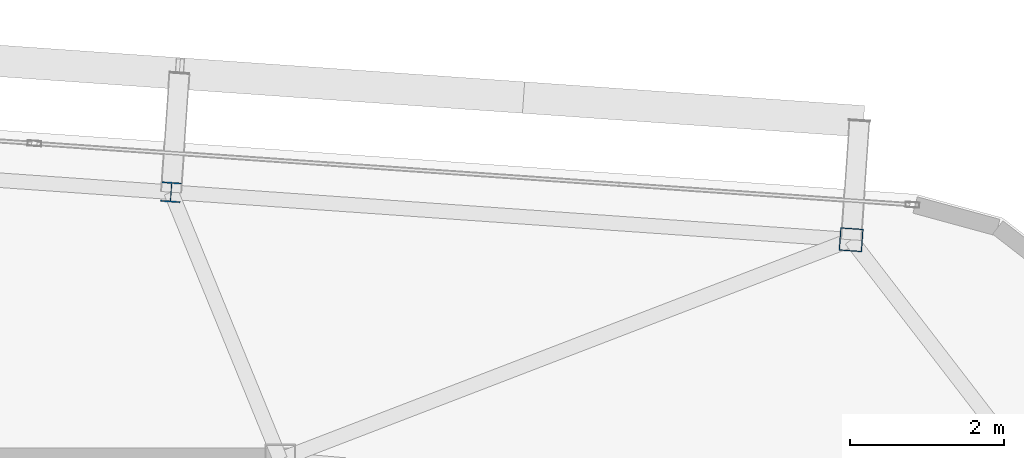
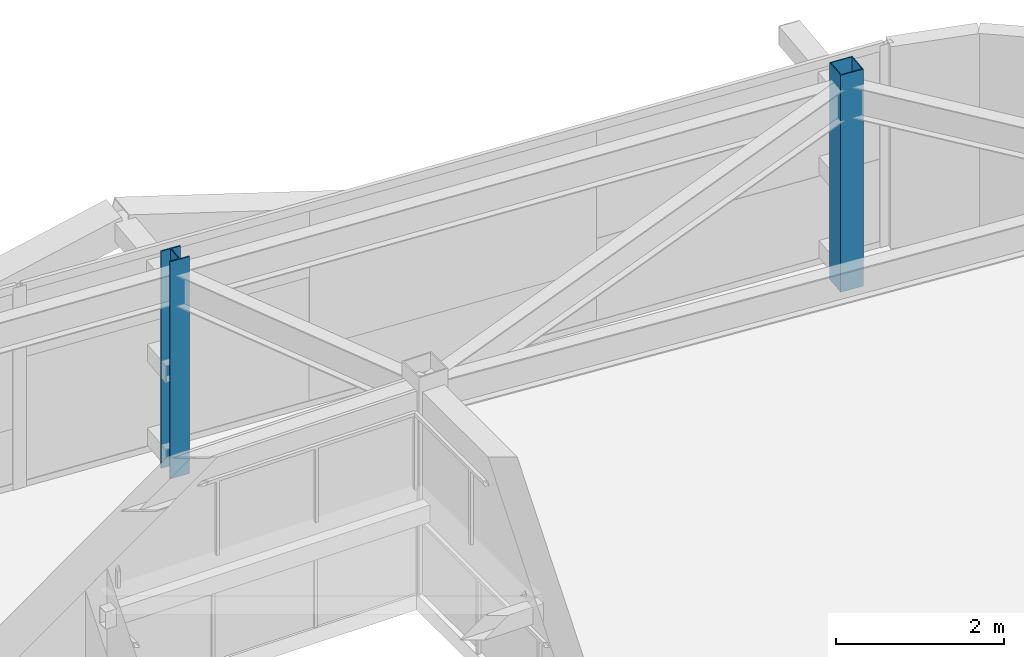
# One storey, part 5 of 39: 2 columns.
"""IFC4 building model written with IfcOpenShell, lengths in metres."""

from ifc_helpers import new_model, si_unit, direction, frame, origin, origin_2d, place, context, subcontext, project, spatial, hollow_rectangle, i_section, extrude, source, transform, mapped, material, material_profile, profile_set, type_object, element, save


model = new_model("IFC4")

# Units and contexts
model_context = context("Model", 3, precision=1e-05, world=origin(), true_north=direction((0.0, 1.0)))
body_context = subcontext(model_context, "Body", "Model", "MODEL_VIEW")
ifc_project = project(units=[si_unit("LENGTHUNIT", "METRE"), si_unit("AREAUNIT", "SQUARE_METRE"), si_unit("VOLUMEUNIT", "CUBIC_METRE"), si_unit("PLANEANGLEUNIT", "RADIAN"), si_unit("MASSUNIT", "GRAM", prefix="KILO")], contexts=[model_context])

# Site, building, storey
site_placement = place(None, origin())
site = spatial("IfcSite", under=ifc_project, at=site_placement, CompositionType="ELEMENT")
building_placement = place(site_placement, origin())
building = spatial("IfcBuilding", under=site, at=building_placement, Name="Taldren Reach Tower", CompositionType="ELEMENT")
storey_placement = place(building_placement, frame((0.0, 0.0, 148.75)))
storey = spatial("IfcBuildingStorey", under=building, at=storey_placement, Name="L45", CompositionType="ELEMENT", Elevation=148.75)

# Columns
ifc_material_1 = material(Name="Steel Gr 450 (C450L0)", Category="steel")
ifc_material_profile_1 = material_profile(ifc_material_1, hollow_rectangle(XDim=0.300048828125, YDim=0.300048828125, WallThickness=0.012451171875, at=origin_2d()), Name="300x300x12.5SHS")
ifc_profile_set_1 = profile_set([ifc_material_profile_1], Name="Steel Gr 450 (C450L0)")
column_type_1 = type_object("IfcColumnType", Name="COL-SHS300", PredefinedType="COLUMN", material=ifc_profile_set_1)
shared_shape_1 = source(origin(), body_context, "Body", "SweptSolid", [
    extrude(hollow_rectangle(XDim=0.300048828125, YDim=0.300048828125, WallThickness=0.012451171875, at=origin_2d()), origin(), (0.0, 0.0, 1.0), 3.14990234375),
])
column_1_placement = place(storey_placement, frame((58.4365234375, 34.861572265625, 0.0), z_axis=(0.0, 0.0, 1.0), x_axis=(0.99756405026, -0.069756473744, 0.0)))
element("IfcColumn", 1, at=column_1_placement, inside=storey, type_object=column_type_1, Name="Block B3 perimeter column N6 L45", PredefinedType="COLUMN", context=body_context, shape_type="MappedRepresentation", body=[
    mapped(shared_shape_1, transform((0.0, 0.0, 0.0), scale=1.0)),
])
ifc_material_2 = material(Name="Steel Gr 350 (350PLUS)", Category="steel")
ifc_material_profile_2 = material_profile(ifc_material_2, i_section(OverallWidth=0.256103515625, OverallDepth=0.260009765625, WebThickness=0.010498046875, FlangeThickness=0.017333984375, at=origin_2d()), Name="250UC89.5")
ifc_profile_set_2 = profile_set([ifc_material_profile_2], Name="Steel Gr 350 (350PLUS)")
column_type_2 = type_object("IfcColumnType", Name="COL-UC250", PredefinedType="COLUMN", material=ifc_profile_set_2)
shared_shape_2 = source(origin(), body_context, "Body", "SweptSolid", [
    extrude(i_section(OverallWidth=0.256103515625, OverallDepth=0.260009765625, WebThickness=0.010498046875, FlangeThickness=0.017333984375, at=origin_2d()), origin(), (0.0, 0.0, 1.0), 3.14990234375),
])
column_2_placement = place(storey_placement, frame((49.578125, 35.48095703125, 0.0), z_axis=(0.0, 0.0, 1.0), x_axis=(0.99756405026, -0.069756473744, 0.0)))
element("IfcColumn", 2, at=column_2_placement, inside=storey, type_object=column_type_2, Name="Block B3 perimeter column N5 L45", PredefinedType="COLUMN", context=body_context, shape_type="MappedRepresentation", body=[
    mapped(shared_shape_2, transform((0.0, 0.0, 0.0), scale=1.0)),
])

save(model, "model.ifc")
